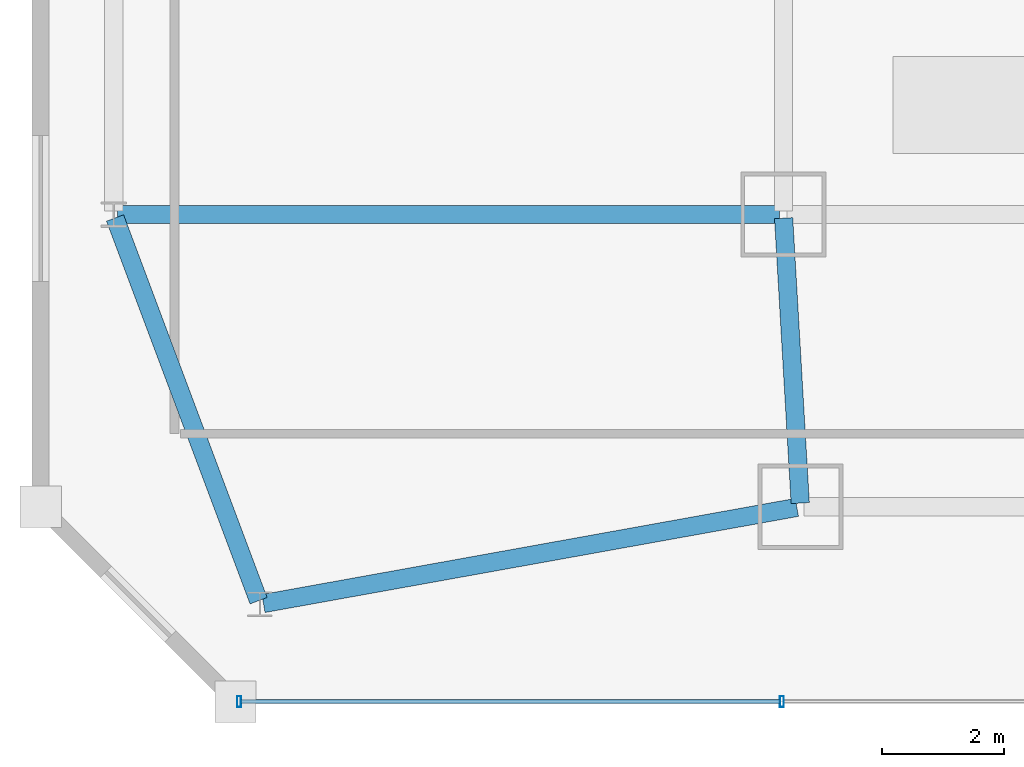
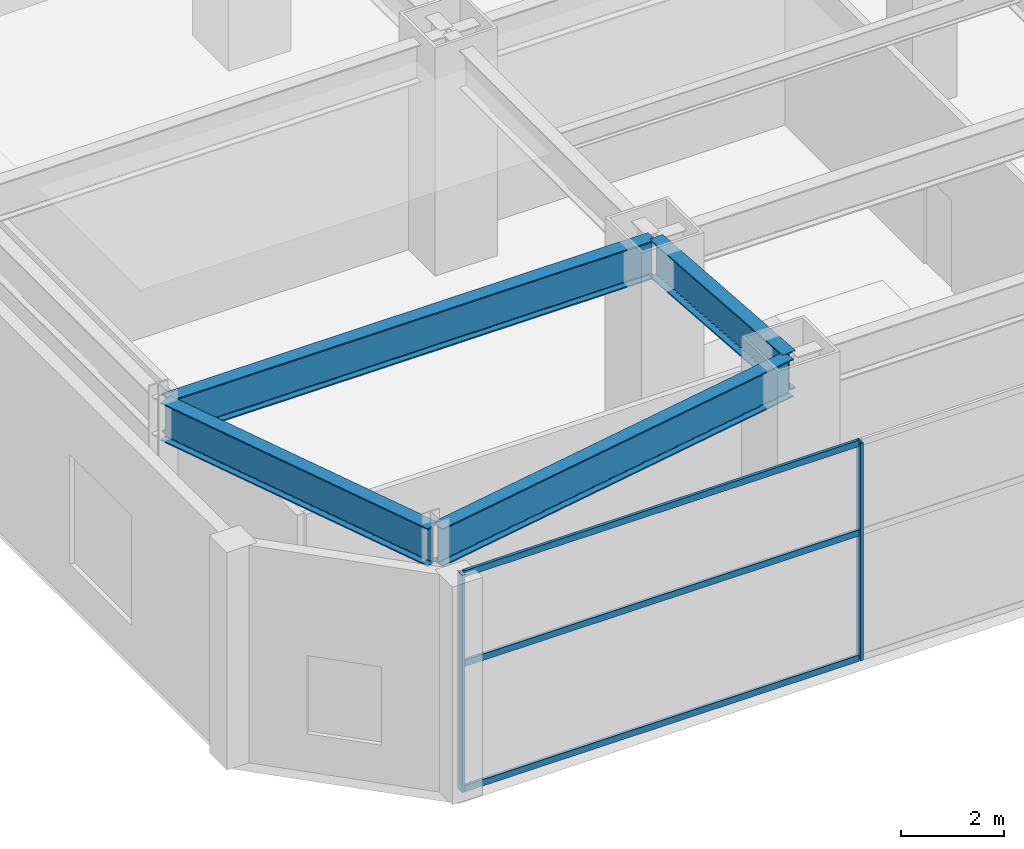
# One storey, part 8 of 53: 5 members, 4 beams, 1 element without a shape of its own.
"""IFC4 building model written with IfcOpenShell, lengths in metres."""

from ifc_helpers import new_model, si_unit, direction, frame, origin, origin_2d, place, context, subcontext, project, spatial, hollow_rectangle, i_section, extrude, material, material_profile, profile_set, type_object, element, aggregate, save


model = new_model("IFC4")

# Units and contexts
model_context = context("Model", 3, precision=1e-05, world=origin(), true_north=direction((0.0, 1.0)))
body_context = subcontext(model_context, "Body", "Model", "MODEL_VIEW")
ifc_project = project(units=[si_unit("LENGTHUNIT", "METRE"), si_unit("AREAUNIT", "SQUARE_METRE"), si_unit("VOLUMEUNIT", "CUBIC_METRE"), si_unit("PLANEANGLEUNIT", "RADIAN"), si_unit("MASSUNIT", "GRAM", prefix="KILO")], contexts=[model_context])

# Site, building, storey
site_placement = place(None, origin())
site = spatial("IfcSite", under=ifc_project, at=site_placement, CompositionType="ELEMENT")
building_placement = place(site_placement, origin())
building = spatial("IfcBuilding", under=site, at=building_placement, Name="Saevonmaru Cultural Tower", CompositionType="ELEMENT")
storey_placement = place(building_placement, frame((0.0, 0.0, 22.199951171875)))
storey = spatial("IfcBuildingStorey", under=building, at=storey_placement, Name="L04", CompositionType="ELEMENT", Elevation=22.199951171875)

# Beams
ifc_material_1 = material(Name="Steel SM420", Category="steel")
ifc_material_profile_1 = material_profile(ifc_material_1, i_section(OverallWidth=0.300048828125, OverallDepth=0.89990234375, WebThickness=0.01611328125, FlangeThickness=0.028076171875, FilletRadius=0.028076171875, at=origin_2d()), Name="H-900x300x16x28")
ifc_profile_set_1 = profile_set([ifc_material_profile_1], Name="Steel SM420")
beam_type = type_object("IfcBeamType", Name="BM-G-H900", PredefinedType="BEAM", material=ifc_profile_set_1)
beam_1_placement = place(storey_placement, frame((12.4765625, 3.260009765625, 4.699951171875), z_axis=(-0.058221363278, 0.998303697708, 0.0), x_axis=(-0.998303697708, -0.058221363278, 0.0)))
element("IfcBeam", 1, at=beam_1_placement, inside=storey, type_object=beam_type, Name="L04 Podium Girder NS1-1", PredefinedType="BEAM", context=body_context, shape_type="SweptSolid", body=[
    extrude(i_section(OverallWidth=0.300048828125, OverallDepth=0.89990234375, WebThickness=0.01611328125, FlangeThickness=0.028076171875, FilletRadius=0.028076171875, at=origin_2d()), origin(), (0.0, 0.0, 1.0), 4.688232421875),
])
beam_2_placement = place(storey_placement, frame((1.260009765625, 8.0, 4.699951171875), z_axis=(1.0, 0.0, 0.0), x_axis=(0.0, 1.0, 0.0)))
element("IfcBeam", 2, at=beam_2_placement, inside=storey, type_object=beam_type, Name="BM-POD-OW-1-L04", PredefinedType="BEAM", context=body_context, shape_type="SweptSolid", body=[
    extrude(i_section(OverallWidth=0.300048828125, OverallDepth=0.89990234375, WebThickness=0.01611328125, FlangeThickness=0.028076171875, FilletRadius=0.028076171875, at=origin_2d()), origin(), (0.0, 0.0, 1.0), 10.8798828125),
])
beam_3_placement = place(storey_placement, frame((3.658935546875, 1.610595703125, 4.699951171875), z_axis=(0.984149934695, 0.177338394151, 0.0), x_axis=(-0.177338394151, 0.984149934695, 0.0)))
element("IfcBeam", 3, at=beam_3_placement, inside=storey, type_object=beam_type, Name="BM-POD-PS-1-L04", PredefinedType="BEAM", context=body_context, shape_type="SweptSolid", body=[
    extrude(i_section(OverallWidth=0.300048828125, OverallDepth=0.89990234375, WebThickness=0.01611328125, FlangeThickness=0.028076171875, FilletRadius=0.028076171875, at=origin_2d()), origin(), (0.0, 0.0, 1.0), 8.903076171875),
])
beam_4_placement = place(storey_placement, frame((3.578857421875, 1.65625, 4.699951171875), z_axis=(-0.351099535502, 0.936338142003, 0.0), x_axis=(-0.936338142003, -0.351099535502, 0.0)))
element("IfcBeam", 4, at=beam_4_placement, inside=storey, type_object=beam_type, Name="BM-POD-PS-3-L04", PredefinedType="BEAM", context=body_context, shape_type="SweptSolid", body=[
    extrude(i_section(OverallWidth=0.300048828125, OverallDepth=0.89990234375, WebThickness=0.01611328125, FlangeThickness=0.028076171875, FilletRadius=0.028076171875, at=origin_2d()), origin(), (0.0, 0.0, 1.0), 6.715087890625),
])

# Curtain wall, members
ifc_material_2 = material(Name="Satin Bronze Anodised Aluminium", Category="aluminium")
curtain_wall_type = type_object("IfcCurtainWallType", Name="CW-POD-GLZ", PredefinedType="NOTDEFINED", material=ifc_material_2)
curtain_wall_placement = place(storey_placement, origin())
curtain_wall = element("IfcCurtainWall", 5, at=curtain_wall_placement, inside=storey, type_object=curtain_wall_type, Name="L04 South Grand Foyer Curtain Wall", PredefinedType="NOTDEFINED")
ifc_material_profile_2 = material_profile(ifc_material_2, hollow_rectangle(XDim=0.06494140625, YDim=0.179931640625, WallThickness=0.00390625, at=origin_2d()), Name="ALU-MULL-180x65x4")
ifc_profile_set_2 = profile_set([ifc_material_profile_2], Name="Satin Bronze Anodised Aluminium")
member_type_1 = type_object("IfcMemberType", Name="ML-CW-180x65", PredefinedType="MULLION", material=ifc_profile_set_2)
member_1_placement = place(storey_placement, frame((3.260009765625, 0.0, 0.0), z_axis=(0.0, 0.0, 1.0), x_axis=(1.0, 0.0, 0.0)))
member_1 = element("IfcMember", 6, at=member_1_placement, type_object=member_type_1, Name="CW-POD-S-L04 mullion 1", PredefinedType="MULLION", context=body_context, shape_type="SweptSolid", body=[
    extrude(hollow_rectangle(XDim=0.06494140625, YDim=0.179931640625, WallThickness=0.00390625, at=origin_2d()), origin(), (0.0, 0.0, 1.0), 5.150146484375),
])
member_2_placement = place(storey_placement, frame((12.17333984375, 0.0, 0.0), z_axis=(0.0, 0.0, 1.0), x_axis=(1.0, 0.0, 0.0)))
member_2 = element("IfcMember", 7, at=member_2_placement, type_object=member_type_1, Name="CW-POD-S-L04 mullion 2", PredefinedType="MULLION", context=body_context, shape_type="SweptSolid", body=[
    extrude(hollow_rectangle(XDim=0.06494140625, YDim=0.179931640625, WallThickness=0.00390625, at=origin_2d()), origin(), (0.0, 0.0, 1.0), 5.150146484375),
])
ifc_material_profile_3 = material_profile(ifc_material_2, hollow_rectangle(XDim=0.06494140625, YDim=0.14990234375, WallThickness=0.00390625, at=origin_2d()), Name="ALU-TRAN-150x65x4")
ifc_profile_set_3 = profile_set([ifc_material_profile_3], Name="Satin Bronze Anodised Aluminium")
member_type_2 = type_object("IfcMemberType", Name="TR-CW-150x65", PredefinedType="USERDEFINED", material=ifc_profile_set_3)
member_3_placement = place(storey_placement, frame((3.29248046875, 0.0, 0.032470703125), z_axis=(1.0, 0.0, 0.0), x_axis=(0.0, 1.0, 0.0)))
member_3 = element("IfcMember", 8, at=member_3_placement, type_object=member_type_2, Name="CW-POD-S-L04 transom 1.1", ObjectType="TRANSOM", PredefinedType="USERDEFINED", context=body_context, shape_type="SweptSolid", body=[
    extrude(hollow_rectangle(XDim=0.06494140625, YDim=0.14990234375, WallThickness=0.00390625, at=origin_2d()), origin(), (0.0, 0.0, 1.0), 8.848388671875),
])
member_4_placement = place(storey_placement, frame((3.29248046875, 0.0, 3.0), z_axis=(1.0, 0.0, 0.0), x_axis=(0.0, 1.0, 0.0)))
member_4 = element("IfcMember", 9, at=member_4_placement, type_object=member_type_2, Name="CW-POD-S-L04 transom 1.2", ObjectType="TRANSOM", PredefinedType="USERDEFINED", context=body_context, shape_type="SweptSolid", body=[
    extrude(hollow_rectangle(XDim=0.06494140625, YDim=0.14990234375, WallThickness=0.00390625, at=origin_2d()), origin(), (0.0, 0.0, 1.0), 8.848388671875),
])
member_5_placement = place(storey_placement, frame((3.29248046875, 0.0, 5.117431640625), z_axis=(1.0, 0.0, 0.0), x_axis=(0.0, 1.0, 0.0)))
member_5 = element("IfcMember", 10, at=member_5_placement, type_object=member_type_2, Name="CW-POD-S-L04 transom 1.3", ObjectType="TRANSOM", PredefinedType="USERDEFINED", context=body_context, shape_type="SweptSolid", body=[
    extrude(hollow_rectangle(XDim=0.06494140625, YDim=0.14990234375, WallThickness=0.00390625, at=origin_2d()), origin(), (0.0, 0.0, 1.0), 8.848388671875),
])
aggregate(curtain_wall, [member_1, member_2, member_3, member_4, member_5])

save(model, "model.ifc")
